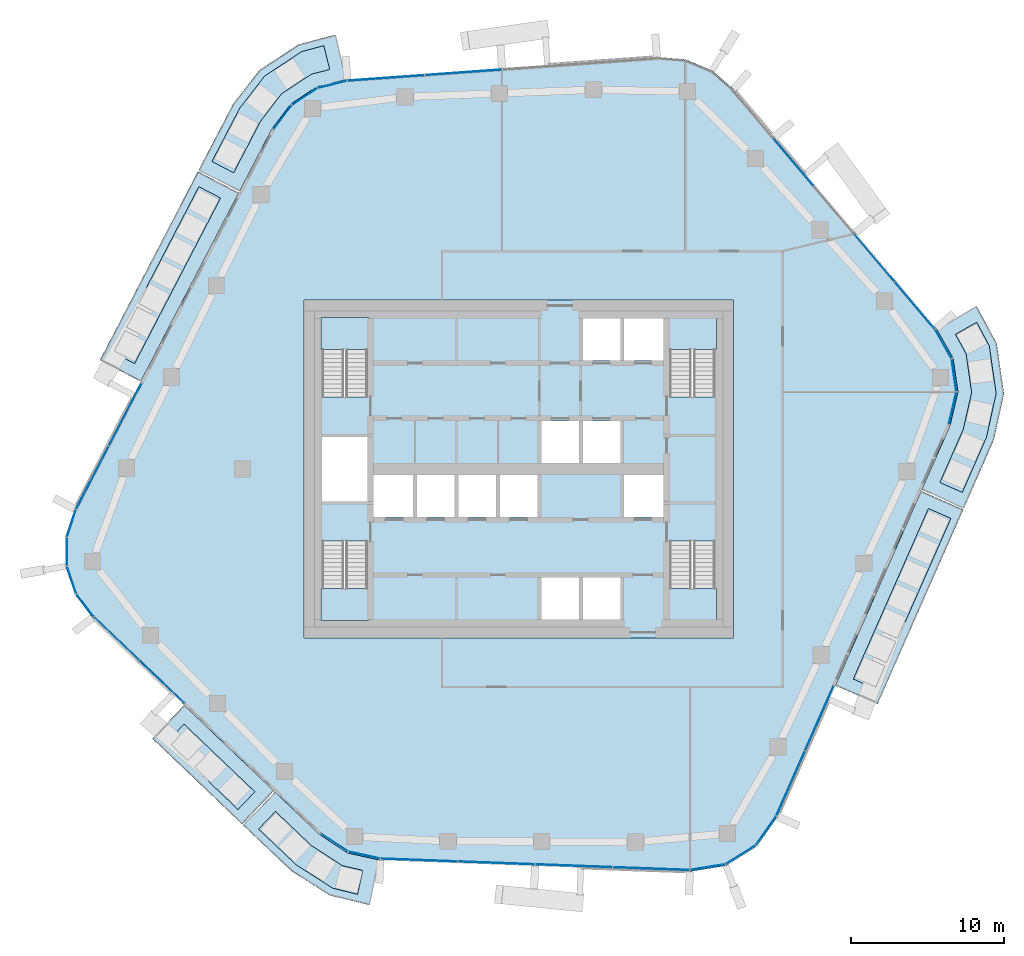
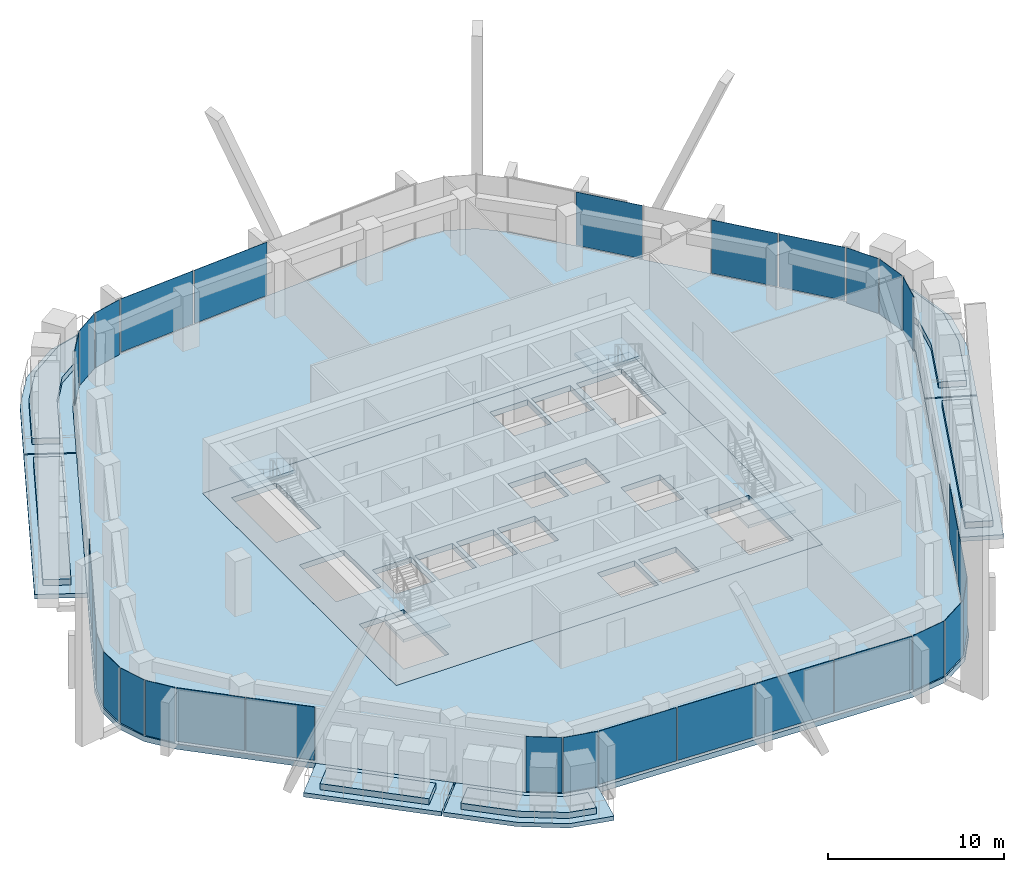
# One storey, part 9 of 20: 30 plates, 18 slabs, 15 elements without a shape of their own.
"""IFC4 building model written with IfcOpenShell, lengths in metres."""

from ifc_helpers import new_model, si_unit, direction, frame, origin, origin_2d, place, context, subcontext, project, spatial, polyline, rectangle, outline, extrude, material, layer, layer_set, type_object, element, aggregate, save


model = new_model("IFC4")

# Units and contexts
model_context = context("Model", 3, precision=1e-05, world=origin(), true_north=direction((0.0, 1.0)))
body_context = subcontext(model_context, "Body", "Model", "MODEL_VIEW")
ifc_project = project(units=[si_unit("LENGTHUNIT", "METRE"), si_unit("AREAUNIT", "SQUARE_METRE"), si_unit("VOLUMEUNIT", "CUBIC_METRE"), si_unit("PLANEANGLEUNIT", "RADIAN"), si_unit("MASSUNIT", "GRAM", prefix="KILO")], contexts=[model_context])

# Site, building, storey
site_placement = place(None, origin())
site = spatial("IfcSite", under=ifc_project, at=site_placement, CompositionType="ELEMENT")
building_placement = place(site_placement, origin())
building = spatial("IfcBuilding", under=site, at=building_placement, Name="Dongbaek Canopy Tower", CompositionType="ELEMENT")
storey_placement = place(building_placement, frame((0.0, 0.0, 266.39990234375)))
storey = spatial("IfcBuildingStorey", under=building, at=storey_placement, Name="L56", CompositionType="ELEMENT", Elevation=266.39990234375)

# Slabs
ifc_material_1 = material(Name="Concrete C40/50", Category="concrete")
ifc_layer_1 = layer(ifc_material_1, 0.300048828125)
ifc_layer_set_1 = layer_set([ifc_layer_1], Name="Balcony slab 300")
slab_type_1 = type_object("IfcSlabType", Name="Balcony slab 300", PredefinedType="FLOOR", material=ifc_layer_set_1)
slab_1_placement = place(storey_placement, frame((0.0, 0.0, -0.2998046875)))
element("IfcSlab", 1, at=slab_1_placement, inside=storey, type_object=slab_type_1, Name="Balcony L56 1", PredefinedType="FLOOR", context=body_context, shape_type="SweptSolid", body=[
    extrude(outline(polyline([(-18.2392578125, 18.005859375), (-24.62646484375, 5.70703125), (-27.288818359375, 7.089599609375), (-20.901611328125, 19.388671875), (-18.2392578125, 18.005859375)])), origin(), (0.0, 0.0, 1.0), 0.2998046875),
])
slab_2_placement = place(storey_placement, frame((0.0, 0.0, -0.2998046875)))
element("IfcSlab", 2, at=slab_2_placement, inside=storey, type_object=slab_type_1, Name="Balcony L56 5", PredefinedType="FLOOR", context=body_context, shape_type="SweptSolid", body=[
    extrude(outline(polyline([(-11.22607421875, 25.386962890625), (-13.148681640625, 24.91259765625), (-14.8447265625, 23.797119140625), (-16.07177734375, 22.1796875), (-18.193115234375, 18.0947265625), (-20.85546875, 19.477294921875), (-18.607177734375, 23.783203125), (-16.8935546875, 25.98828125), (-14.349365234375, 27.661865234375), (-11.9443359375, 28.299560546875), (-11.22607421875, 25.386962890625)])), origin(), (0.0, 0.0, 1.0), 0.2998046875),
])
slab_3_placement = place(storey_placement, frame((0.0, 0.0, -0.2998046875)))
element("IfcSlab", 3, at=slab_3_placement, inside=storey, type_object=slab_type_1, Name="Balcony L56 2", PredefinedType="FLOOR", context=body_context, shape_type="SweptSolid", body=[
    extrude(outline(polyline([(-21.800048828125, -15.386962890625), (-15.9521484375, -20.96923828125), (-18.023681640625, -23.13916015625), (-23.87158203125, -17.55712890625), (-21.800048828125, -15.386962890625)])), origin(), (0.0, 0.0, 1.0), 0.2998046875),
])
slab_4_placement = place(storey_placement, frame((0.0, 0.0, -0.2998046875)))
element("IfcSlab", 4, at=slab_4_placement, inside=storey, type_object=slab_type_1, Name="Balcony L56 6", PredefinedType="FLOOR", context=body_context, shape_type="SweptSolid", body=[
    extrude(outline(polyline([(-15.8798828125, -21.0380859375), (-12.9560546875, -23.829345703125), (-11.14697265625, -25.0166015625), (-9.083251953125, -25.474365234375), (-9.732666015625, -28.403076171875), (-12.31396484375, -27.7802734375), (-14.822509765625, -26.177978515625), (-17.951416015625, -23.208251953125), (-15.8798828125, -21.0380859375)])), origin(), (0.0, 0.0, 1.0), 0.2998046875),
])
slab_5_placement = place(storey_placement, frame((0.0, 0.0, -0.2998046875)))
element("IfcSlab", 5, at=slab_5_placement, inside=storey, type_object=slab_type_1, Name="Balcony L56 3", PredefinedType="FLOOR", context=body_context, shape_type="SweptSolid", body=[
    extrude(outline(polyline([(20.642333984375, -14.1015625), (26.225341796875, -1.43310546875), (28.970703125, -2.64306640625), (23.387451171875, -15.3115234375), (20.642333984375, -14.1015625)])), origin(), (0.0, 0.0, 1.0), 0.2998046875),
])
slab_6_placement = place(storey_placement, frame((0.0, 0.0, -0.2998046875)))
element("IfcSlab", 6, at=slab_6_placement, inside=storey, type_object=slab_type_1, Name="Balcony L56 4", PredefinedType="FLOOR", context=body_context, shape_type="SweptSolid", body=[
    extrude(outline(polyline([(26.265869140625, -1.341552734375), (28.1201171875, 2.865966796875), (28.624267578125, 5.030029296875), (28.30615234375, 7.2294921875), (27.234130859375, 9.11865234375), (29.84326171875, 10.59912109375), (31.144287109375, 8.201171875), (31.62158203125, 4.90234375), (30.966064453125, 1.91650390625), (29.010986328125, -2.551513671875), (26.265869140625, -1.341552734375)])), origin(), (0.0, 0.0, 1.0), 0.2998046875),
])

# Curtain wall, plates
ifc_material_2 = material(Name="Aluminium 6063-T6 pale anodised", Category="aluminium")
ifc_layer_2 = layer(ifc_material_2, 0.199951171875)
ifc_layer_set_2 = layer_set([ifc_layer_2], Name="CW-1 unitised tower curtain wall")
curtain_wall_type = type_object("IfcCurtainWallType", Name="CW-1 unitised tower curtain wall", PredefinedType="NOTDEFINED", material=ifc_layer_set_2)
curtain_wall_1_placement = place(storey_placement, origin())
curtain_wall_1 = element("IfcCurtainWall", 7, at=curtain_wall_1_placement, inside=storey, type_object=curtain_wall_type, Name="CW-1 curtain wall K0.1", PredefinedType="NOTDEFINED")
ifc_material_3 = material(Name="Clear laminated glass", Category="glass")
ifc_layer_3 = layer(ifc_material_3, 0.028076171875)
ifc_layer_set_3 = layer_set([ifc_layer_3], Name="CW-1 glazed panel 28")
plate_type = type_object("IfcPlateType", Name="CW-1 glazed panel 28", PredefinedType="CURTAIN_PANEL", material=ifc_layer_set_3)
plate_1_placement = place(storey_placement, frame((28.273681640625, 3.966064453125, 0.0), z_axis=(0.0, 0.0, 1.0), x_axis=(0.226862667596, 0.973926758053, 0.0)))
plate_1 = element("IfcPlate", 8, at=plate_1_placement, type_object=plate_type, Name="CW-1 panel K0.1.1.1", PredefinedType="CURTAIN_PANEL", context=body_context, shape_type="SweptSolid", body=[
    extrude(rectangle(XDim=2.10986328125, YDim=0.028076171875, at=origin_2d()), origin(), (0.0, 0.0, 1.0), 3.820068359375),
])
plate_2_placement = place(storey_placement, frame((28.3662109375, 6.115478515625, 0.0), z_axis=(0.0, 0.0, 1.0), x_axis=(-0.143155314124, 0.989700235444, 0.0)))
plate_2 = element("IfcPlate", 9, at=plate_2_placement, type_object=plate_type, Name="CW-1 panel K0.1.2.1", PredefinedType="CURTAIN_PANEL", context=body_context, shape_type="SweptSolid", body=[
    extrude(rectangle(XDim=2.100341796875, YDim=0.028076171875, at=origin_2d()), origin(), (0.0, 0.0, 1.0), 3.820068359375),
])
plate_3_placement = place(storey_placement, frame((27.66845703125, 8.150390625, 0.0), z_axis=(0.0, 0.0, 1.0), x_axis=(-0.493537811004, 0.869724340874, 0.0)))
plate_3 = element("IfcPlate", 10, at=plate_3_placement, type_object=plate_type, Name="CW-1 panel K0.1.3.1", PredefinedType="CURTAIN_PANEL", context=body_context, shape_type="SweptSolid", body=[
    extrude(rectangle(XDim=2.10986328125, YDim=0.028076171875, at=origin_2d()), origin(), (0.0, 0.0, 1.0), 3.820068359375),
])
aggregate(curtain_wall_1, [plate_1, plate_2, plate_3])

curtain_wall_2_placement = place(storey_placement, origin())
curtain_wall_2 = element("IfcCurtainWall", 11, at=curtain_wall_2_placement, inside=storey, type_object=curtain_wall_type, Name="CW-1 curtain wall F0.1", PredefinedType="NOTDEFINED")
plate_4_placement = place(storey_placement, frame((25.811279296875, 10.6591796875, 0.1201171875), z_axis=(0.0, 0.0, 1.0), x_axis=(-0.646055122273, 0.763290756517, 0.0)))
plate_4 = element("IfcPlate", 12, at=plate_4_placement, type_object=plate_type, Name="CW-1 panel F0.1.1.1", PredefinedType="CURTAIN_PANEL", context=body_context, shape_type="SweptSolid", body=[
    extrude(rectangle(XDim=3.9892578125, YDim=0.028076171875, at=origin_2d()), origin(), (0.0, 0.0, 1.0), 3.699951171875),
])
plate_5_placement = place(storey_placement, frame((23.1767578125, 13.771728515625, 0.1201171875), z_axis=(0.0, 0.0, 1.0), x_axis=(-0.646055122273, 0.763290756517, 0.0)))
plate_5 = element("IfcPlate", 13, at=plate_5_placement, type_object=plate_type, Name="CW-1 panel F0.1.2.1", PredefinedType="CURTAIN_PANEL", context=body_context, shape_type="SweptSolid", body=[
    extrude(rectangle(XDim=3.99853515625, YDim=0.028076171875, at=origin_2d()), origin(), (0.0, 0.0, 1.0), 3.699951171875),
])
plate_6_placement = place(storey_placement, frame((17.901611328125, 20.00390625, 0.1201171875), z_axis=(0.0, 0.0, 1.0), x_axis=(-0.646055122273, 0.763290756517, 0.0)))
plate_6 = element("IfcPlate", 14, at=plate_6_placement, type_object=plate_type, Name="CW-1 panel F0.1.4.1", PredefinedType="CURTAIN_PANEL", context=body_context, shape_type="SweptSolid", body=[
    extrude(rectangle(XDim=3.99853515625, YDim=0.028076171875, at=origin_2d()), origin(), (0.0, 0.0, 1.0), 3.699951171875),
])
aggregate(curtain_wall_2, [plate_4, plate_5, plate_6])

curtain_wall_3_placement = place(storey_placement, origin())
curtain_wall_3 = element("IfcCurtainWall", 15, at=curtain_wall_3_placement, inside=storey, type_object=curtain_wall_type, Name="CW-1 curtain wall F1.1", PredefinedType="NOTDEFINED")
plate_7_placement = place(storey_placement, frame((-3.599365234375, 25.84375, 0.1201171875), z_axis=(0.0, 0.0, 1.0), x_axis=(-0.997423073198, -0.07174408026, 0.0)))
plate_7 = element("IfcPlate", 16, at=plate_7_placement, type_object=plate_type, Name="CW-1 panel F1.1.3.1", PredefinedType="CURTAIN_PANEL", context=body_context, shape_type="SweptSolid", body=[
    extrude(rectangle(XDim=4.976318359375, YDim=0.028076171875, at=origin_2d()), origin(), (0.0, 0.0, 1.0), 3.699951171875),
])
plate_8_placement = place(storey_placement, frame((-8.642333984375, 25.48095703125, 0.1201171875), z_axis=(0.0, 0.0, 1.0), x_axis=(-0.997423073198, -0.07174408026, 0.0)))
plate_8 = element("IfcPlate", 17, at=plate_8_placement, type_object=plate_type, Name="CW-1 panel F1.1.4.1", PredefinedType="CURTAIN_PANEL", context=body_context, shape_type="SweptSolid", body=[
    extrude(rectangle(XDim=4.9677734375, YDim=0.028076171875, at=origin_2d()), origin(), (0.0, 0.0, 1.0), 3.699951171875),
])
aggregate(curtain_wall_3, [plate_7, plate_8])

curtain_wall_4_placement = place(storey_placement, origin())
curtain_wall_4 = element("IfcCurtainWall", 18, at=curtain_wall_4_placement, inside=storey, type_object=curtain_wall_type, Name="CW-1 curtain wall K2.1", PredefinedType="NOTDEFINED")
plate_9_placement = place(storey_placement, frame((-12.135009765625, 25.059814453125, 0.0), z_axis=(0.0, 0.0, 1.0), x_axis=(-0.970907015511, -0.239456817049, 0.0)))
plate_9 = element("IfcPlate", 19, at=plate_9_placement, type_object=plate_type, Name="CW-1 panel K2.1.1.1", PredefinedType="CURTAIN_PANEL", context=body_context, shape_type="SweptSolid", body=[
    extrude(rectangle(XDim=1.92041015625, YDim=0.028076171875, at=origin_2d()), origin(), (0.0, 0.0, 1.0), 3.820068359375),
])
plate_10_placement = place(storey_placement, frame((-13.941650390625, 24.271240234375, 0.0), z_axis=(0.0, 0.0, 1.0), x_axis=(-0.835470720446, -0.549534962743, 0.0)))
plate_10 = element("IfcPlate", 20, at=plate_10_placement, type_object=plate_type, Name="CW-1 panel K2.1.2.1", PredefinedType="CURTAIN_PANEL", context=body_context, shape_type="SweptSolid", body=[
    extrude(rectangle(XDim=1.911865234375, YDim=0.028076171875, at=origin_2d()), origin(), (0.0, 0.0, 1.0), 3.820068359375),
])
plate_11_placement = place(storey_placement, frame((-15.38134765625, 22.92431640625, 0.0), z_axis=(0.0, 0.0, 1.0), x_axis=(-0.604380174138, -0.796696055663, 0.0)))
plate_11 = element("IfcPlate", 21, at=plate_11_placement, type_object=plate_type, Name="CW-1 panel K2.1.3.1", PredefinedType="CURTAIN_PANEL", context=body_context, shape_type="SweptSolid", body=[
    extrude(rectangle(XDim=1.92041015625, YDim=0.028076171875, at=origin_2d()), origin(), (0.0, 0.0, 1.0), 3.820068359375),
])
aggregate(curtain_wall_4, [plate_9, plate_10, plate_11])

curtain_wall_5_placement = place(storey_placement, origin())
curtain_wall_5 = element("IfcCurtainWall", 22, at=curtain_wall_5_placement, inside=storey, type_object=curtain_wall_type, Name="CW-1 curtain wall F2.1", PredefinedType="NOTDEFINED")
plate_12_placement = place(storey_placement, frame((-25.633056640625, 3.5517578125, 0.1201171875), z_axis=(0.0, 0.0, 1.0), x_axis=(-0.460880465591, -0.887462222541, 0.0)))
plate_12 = element("IfcPlate", 23, at=plate_12_placement, type_object=plate_type, Name="CW-1 panel F2.1.1.1", PredefinedType="CURTAIN_PANEL", context=body_context, shape_type="SweptSolid", body=[
    extrude(rectangle(XDim=4.56884765625, YDim=0.028076171875, at=origin_2d()), origin(), (0.0, 0.0, 1.0), 3.699951171875),
])
plate_13_placement = place(storey_placement, frame((-27.775390625, -0.57373046875, 0.1201171875), z_axis=(0.0, 0.0, 1.0), x_axis=(-0.460880465591, -0.887462222541, 0.0)))
plate_13 = element("IfcPlate", 24, at=plate_13_placement, type_object=plate_type, Name="CW-1 panel F2.1.2.1", PredefinedType="CURTAIN_PANEL", context=body_context, shape_type="SweptSolid", body=[
    extrude(rectangle(XDim=4.560791015625, YDim=0.028076171875, at=origin_2d()), origin(), (0.0, 0.0, 1.0), 3.699951171875),
])
aggregate(curtain_wall_5, [plate_12, plate_13])

curtain_wall_6_placement = place(storey_placement, origin())
curtain_wall_6 = element("IfcCurtainWall", 25, at=curtain_wall_6_placement, inside=storey, type_object=curtain_wall_type, Name="CW-1 curtain wall K3.1", PredefinedType="NOTDEFINED")
plate_14_placement = place(storey_placement, frame((-29.142822265625, -3.53662109375, 0.0), z_axis=(0.0, 0.0, 1.0), x_axis=(-0.312699253045, -0.949852186998, 0.0)))
plate_14 = element("IfcPlate", 26, at=plate_14_placement, type_object=plate_type, Name="CW-1 panel K3.1.1.1", PredefinedType="CURTAIN_PANEL", context=body_context, shape_type="SweptSolid", body=[
    extrude(rectangle(XDim=1.814697265625, YDim=0.028076171875, at=origin_2d()), origin(), (0.0, 0.0, 1.0), 3.820068359375),
])
plate_15_placement = place(storey_placement, frame((-29.43603515625, -5.3837890625, 0.0), z_axis=(0.0, 0.0, 1.0), x_axis=(0.003873700922, -0.999992497192, 0.0)))
plate_15 = element("IfcPlate", 27, at=plate_15_placement, type_object=plate_type, Name="CW-1 panel K3.1.2.1", PredefinedType="CURTAIN_PANEL", context=body_context, shape_type="SweptSolid", body=[
    extrude(rectangle(XDim=1.806640625, YDim=0.028076171875, at=origin_2d()), origin(), (0.0, 0.0, 1.0), 3.820068359375),
])
plate_16_placement = place(storey_placement, frame((-29.129638671875, -7.224609375, 0.0), z_axis=(0.0, 0.0, 1.0), x_axis=(0.320048699964, -0.947401092279, 0.0)))
plate_16 = element("IfcPlate", 28, at=plate_16_placement, type_object=plate_type, Name="CW-1 panel K3.1.3.1", PredefinedType="CURTAIN_PANEL", context=body_context, shape_type="SweptSolid", body=[
    extrude(rectangle(XDim=1.806640625, YDim=0.028076171875, at=origin_2d()), origin(), (0.0, 0.0, 1.0), 3.820068359375),
])
plate_17_placement = place(storey_placement, frame((-28.25439453125, -8.87744140625, 0.0), z_axis=(0.0, 0.0, 1.0), x_axis=(0.603344300453, -0.797480818021, 0.0)))
plate_17 = element("IfcPlate", 29, at=plate_17_placement, type_object=plate_type, Name="CW-1 panel K3.1.4.1", PredefinedType="CURTAIN_PANEL", context=body_context, shape_type="SweptSolid", body=[
    extrude(rectangle(XDim=1.814697265625, YDim=0.028076171875, at=origin_2d()), origin(), (0.0, 0.0, 1.0), 3.820068359375),
])
aggregate(curtain_wall_6, [plate_14, plate_15, plate_16, plate_17])

curtain_wall_7_placement = place(storey_placement, origin())
curtain_wall_7 = element("IfcCurtainWall", 30, at=curtain_wall_7_placement, inside=storey, type_object=curtain_wall_type, Name="CW-1 curtain wall F3.1", PredefinedType="NOTDEFINED")
plate_18_placement = place(storey_placement, frame((-26.204345703125, -11.044677734375, 0.1201171875), z_axis=(0.0, 0.0, 1.0), x_axis=(0.723349933562, -0.690481624386, 0.0)))
plate_18 = element("IfcPlate", 31, at=plate_18_placement, type_object=plate_type, Name="CW-1 panel F3.1.1.1", PredefinedType="CURTAIN_PANEL", context=body_context, shape_type="SweptSolid", body=[
    extrude(rectangle(XDim=4.000244140625, YDim=0.028076171875, at=origin_2d()), origin(), (0.0, 0.0, 1.0), 3.699951171875),
])
plate_19_placement = place(storey_placement, frame((-23.247314453125, -13.867431640625, 0.1201171875), z_axis=(0.0, 0.0, 1.0), x_axis=(0.723349933562, -0.690481624386, 0.0)))
plate_19 = element("IfcPlate", 32, at=plate_19_placement, type_object=plate_type, Name="CW-1 panel F3.1.2.1", PredefinedType="CURTAIN_PANEL", context=body_context, shape_type="SweptSolid", body=[
    extrude(rectangle(XDim=4.00830078125, YDim=0.028076171875, at=origin_2d()), origin(), (0.0, 0.0, 1.0), 3.699951171875),
])
aggregate(curtain_wall_7, [plate_18, plate_19])

curtain_wall_8_placement = place(storey_placement, origin())
curtain_wall_8 = element("IfcCurtainWall", 33, at=curtain_wall_8_placement, inside=storey, type_object=curtain_wall_type, Name="CW-1 curtain wall K4.1", PredefinedType="NOTDEFINED")
plate_20_placement = place(storey_placement, frame((-12.00048828125, -24.3369140625, 0.0), z_axis=(0.0, 0.0, 1.0), x_axis=(0.836003900743, -0.548723498624, 0.0)))
plate_20 = element("IfcPlate", 34, at=plate_20_placement, type_object=plate_type, Name="CW-1 panel K4.1.1.1", PredefinedType="CURTAIN_PANEL", context=body_context, shape_type="SweptSolid", body=[
    extrude(rectangle(XDim=2.052490234375, YDim=0.028076171875, at=origin_2d()), origin(), (0.0, 0.0, 1.0), 3.820068359375),
])
plate_21_placement = place(storey_placement, frame((-10.064453125, -25.154296875, 0.0), z_axis=(0.0, 0.0, 1.0), x_axis=(0.976288604328, -0.216473003073, 0.0)))
plate_21 = element("IfcPlate", 35, at=plate_21_placement, type_object=plate_type, Name="CW-1 panel K4.1.2.1", PredefinedType="CURTAIN_PANEL", context=body_context, shape_type="SweptSolid", body=[
    extrude(rectangle(XDim=2.052490234375, YDim=0.028076171875, at=origin_2d()), origin(), (0.0, 0.0, 1.0), 3.820068359375),
])
aggregate(curtain_wall_8, [plate_20, plate_21])

curtain_wall_9_placement = place(storey_placement, origin())
curtain_wall_9 = element("IfcCurtainWall", 36, at=curtain_wall_9_placement, inside=storey, type_object=curtain_wall_type, Name="CW-1 curtain wall F4.1", PredefinedType="NOTDEFINED")
plate_22_placement = place(storey_placement, frame((-6.501708984375, -25.478515625, 0.1201171875), z_axis=(0.0, 0.0, 1.0), x_axis=(0.999319926798, -0.036873891921, 0.0)))
plate_22 = element("IfcPlate", 37, at=plate_22_placement, type_object=plate_type, Name="CW-1 panel F4.1.1.1", PredefinedType="CURTAIN_PANEL", context=body_context, shape_type="SweptSolid", body=[
    extrude(rectangle(XDim=4.959228515625, YDim=0.028076171875, at=origin_2d()), origin(), (0.0, 0.0, 1.0), 3.699951171875),
])
plate_23_placement = place(storey_placement, frame((-1.457275390625, -25.66455078125, 0.1201171875), z_axis=(0.0, 0.0, 1.0), x_axis=(0.999319926798, -0.036873891921, 0.0)))
plate_23 = element("IfcPlate", 38, at=plate_23_placement, type_object=plate_type, Name="CW-1 panel F4.1.2.1", PredefinedType="CURTAIN_PANEL", context=body_context, shape_type="SweptSolid", body=[
    extrude(rectangle(XDim=4.96826171875, YDim=0.028076171875, at=origin_2d()), origin(), (0.0, 0.0, 1.0), 3.699951171875),
])
plate_24_placement = place(storey_placement, frame((3.591552734375, -25.850830078125, 0.1201171875), z_axis=(0.0, 0.0, 1.0), x_axis=(0.999319926798, -0.036873891921, 0.0)))
plate_24 = element("IfcPlate", 39, at=plate_24_placement, type_object=plate_type, Name="CW-1 panel F4.1.3.1", PredefinedType="CURTAIN_PANEL", context=body_context, shape_type="SweptSolid", body=[
    extrude(rectangle(XDim=4.96826171875, YDim=0.028076171875, at=origin_2d()), origin(), (0.0, 0.0, 1.0), 3.699951171875),
])
plate_25_placement = place(storey_placement, frame((8.635498046875, -26.037109375, 0.1201171875), z_axis=(0.0, 0.0, 1.0), x_axis=(0.999319926798, -0.036873891921, 0.0)))
plate_25 = element("IfcPlate", 40, at=plate_25_placement, type_object=plate_type, Name="CW-1 panel F4.1.4.1", PredefinedType="CURTAIN_PANEL", context=body_context, shape_type="SweptSolid", body=[
    extrude(rectangle(XDim=4.95849609375, YDim=0.028076171875, at=origin_2d()), origin(), (0.0, 0.0, 1.0), 3.699951171875),
])
aggregate(curtain_wall_9, [plate_22, plate_23, plate_24, plate_25])

curtain_wall_10_placement = place(storey_placement, origin())
curtain_wall_10 = element("IfcCurtainWall", 41, at=curtain_wall_10_placement, inside=storey, type_object=curtain_wall_type, Name="CW-1 curtain wall K5.1", PredefinedType="NOTDEFINED")
plate_26_placement = place(storey_placement, frame((12.309326171875, -25.94140625, 0.0), z_axis=(0.0, 0.0, 1.0), x_axis=(0.986926076435, 0.161173569958, 0.0)))
plate_26 = element("IfcPlate", 42, at=plate_26_placement, type_object=plate_type, Name="CW-1 panel K5.1.1.1", PredefinedType="CURTAIN_PANEL", context=body_context, shape_type="SweptSolid", body=[
    extrude(rectangle(XDim=2.25537109375, YDim=0.028076171875, at=origin_2d()), origin(), (0.0, 0.0, 1.0), 3.820068359375),
])
plate_27_placement = place(storey_placement, frame((14.450927734375, -25.135009765625, 0.0), z_axis=(0.0, 0.0, 1.0), x_axis=(0.847571829361, 0.530680689373, 0.0)))
plate_27 = element("IfcPlate", 43, at=plate_27_placement, type_object=plate_type, Name="CW-1 panel K5.1.2.1", PredefinedType="CURTAIN_PANEL", context=body_context, shape_type="SweptSolid", body=[
    extrude(rectangle(XDim=2.2451171875, YDim=0.028076171875, at=origin_2d()), origin(), (0.0, 0.0, 1.0), 3.820068359375),
])
plate_28_placement = place(storey_placement, frame((16.11181640625, -23.560791015625, 0.0), z_axis=(0.0, 0.0, 1.0), x_axis=(0.576034418085, 0.817425439524, 0.0)))
plate_28 = element("IfcPlate", 44, at=plate_28_placement, type_object=plate_type, Name="CW-1 panel K5.1.3.1", PredefinedType="CURTAIN_PANEL", context=body_context, shape_type="SweptSolid", body=[
    extrude(rectangle(XDim=2.25537109375, YDim=0.028076171875, at=origin_2d()), origin(), (0.0, 0.0, 1.0), 3.820068359375),
])
aggregate(curtain_wall_10, [plate_26, plate_27, plate_28])

curtain_wall_11_placement = place(storey_placement, origin())
curtain_wall_11 = element("IfcCurtainWall", 45, at=curtain_wall_11_placement, inside=storey, type_object=curtain_wall_type, Name="CW-1 curtain wall F5.1", PredefinedType="NOTDEFINED")
plate_29_placement = place(storey_placement, frame((17.720703125, -20.482421875, 0.1201171875), z_axis=(0.0, 0.0, 1.0), x_axis=(0.403287969917, 0.915073119112, 0.0)))
plate_29 = element("IfcPlate", 46, at=plate_29_placement, type_object=plate_type, Name="CW-1 panel F5.1.1.1", PredefinedType="CURTAIN_PANEL", context=body_context, shape_type="SweptSolid", body=[
    extrude(rectangle(XDim=4.55419921875, YDim=0.028076171875, at=origin_2d()), origin(), (0.0, 0.0, 1.0), 3.699951171875),
])
plate_30_placement = place(storey_placement, frame((19.59326171875, -16.233642578125, 0.1201171875), z_axis=(0.0, 0.0, 1.0), x_axis=(0.403287969917, 0.915073119112, 0.0)))
plate_30 = element("IfcPlate", 47, at=plate_30_placement, type_object=plate_type, Name="CW-1 panel F5.1.2.1", PredefinedType="CURTAIN_PANEL", context=body_context, shape_type="SweptSolid", body=[
    extrude(rectangle(XDim=4.564208984375, YDim=0.028076171875, at=origin_2d()), origin(), (0.0, 0.0, 1.0), 3.699951171875),
])
aggregate(curtain_wall_11, [plate_29, plate_30])

# Slab
ifc_material_4 = material(Name="Concrete C40/50", Category="concrete")
ifc_layer_4 = layer(ifc_material_4, 0.3798828125)
ifc_layer_set_4 = layer_set([ifc_layer_4], Name="Core floor slab 380 Concrete C40/50")
slab_type_2 = type_object("IfcSlabType", Name="Core floor slab 380 Concrete C40/50", PredefinedType="FLOOR", material=ifc_layer_set_4)
slab_7_placement = place(storey_placement, frame((0.0, 0.0, -0.3798828125)))
element("IfcSlab", 48, at=slab_7_placement, inside=storey, type_object=slab_type_2, Name="Core floor slab L56", PredefinedType="FLOOR", context=body_context, shape_type="SweptSolid", body=[
    extrude(outline(polyline([(14.0, -11.0), (14.0, 11.0), (-14.0, 11.0), (-14.0, -11.0), (14.0, -11.0)]), holes=[polyline([(-12.800048828125, 2.10009765625), (-9.85009765625, 2.10009765625), (-9.85009765625, -2.10009765625), (-12.800048828125, -2.10009765625), (-12.800048828125, 2.10009765625)]), polyline([(6.625, 9.800048828125), (6.625, 7.074951171875), (4.175048828125, 7.074951171875), (4.175048828125, 9.800048828125), (6.625, 9.800048828125)]), polyline([(9.449951171875, 7.074951171875), (6.875, 7.074951171875), (6.875, 9.800048828125), (9.449951171875, 9.800048828125), (9.449951171875, 7.074951171875)]), polyline([(1.47509765625, 0.39990234375), (1.47509765625, 3.125), (3.925048828125, 3.125), (3.925048828125, 0.39990234375), (1.47509765625, 0.39990234375)]), polyline([(4.175048828125, 0.39990234375), (4.175048828125, 3.125), (6.625, 3.125), (6.625, 0.39990234375), (4.175048828125, 0.39990234375)]), polyline([(-9.449951171875, -0.39990234375), (-6.875, -0.39990234375), (-6.875, -3.125), (-9.449951171875, -3.125), (-9.449951171875, -0.39990234375)]), polyline([(-6.625, -3.125), (-6.625, -0.39990234375), (-4.175048828125, -0.39990234375), (-4.175048828125, -3.125), (-6.625, -3.125)]), polyline([(-3.925048828125, -3.125), (-3.925048828125, -0.39990234375), (-1.47509765625, -0.39990234375), (-1.47509765625, -3.125), (-3.925048828125, -3.125)]), polyline([(-1.22509765625, -3.125), (-1.22509765625, -0.39990234375), (1.22509765625, -0.39990234375), (1.22509765625, -3.125), (-1.22509765625, -3.125)]), polyline([(9.449951171875, -3.125), (6.875, -3.125), (6.875, -0.39990234375), (9.449951171875, -0.39990234375), (9.449951171875, -3.125)]), polyline([(1.47509765625, -9.800048828125), (1.47509765625, -7.074951171875), (3.925048828125, -7.074951171875), (3.925048828125, -9.800048828125), (1.47509765625, -9.800048828125)]), polyline([(4.175048828125, -9.800048828125), (4.175048828125, -7.074951171875), (6.625, -7.074951171875), (6.625, -9.800048828125), (4.175048828125, -9.800048828125)]), polyline([(12.800048828125, 4.70068359375), (12.800048828125, 9.800048828125), (9.85009765625, 9.800048828125), (9.85009765625, 4.70068359375), (12.800048828125, 4.70068359375)]), polyline([(-9.85009765625, 4.70068359375), (-9.85009765625, 9.800048828125), (-12.800048828125, 9.800048828125), (-12.800048828125, 4.70068359375), (-9.85009765625, 4.70068359375)]), polyline([(9.85009765625, -4.70068359375), (9.85009765625, -9.800048828125), (12.800048828125, -9.800048828125), (12.800048828125, -4.70068359375), (9.85009765625, -4.70068359375)]), polyline([(-12.800048828125, -4.70068359375), (-12.800048828125, -9.800048828125), (-9.85009765625, -9.800048828125), (-9.85009765625, -4.70068359375), (-12.800048828125, -4.70068359375)])]), origin(), (0.0, 0.0, 1.0), 0.3798828125),
])

# Stair, slab
ifc_material_5 = material(Name="Concrete C40/50", Category="concrete")
stair_type = type_object("IfcStairType", Name="Core exit stair", PredefinedType="HALF_TURN_STAIR", material=ifc_material_5)
stair_1_placement = place(storey_placement, origin())
stair_1 = element("IfcStair", 49, at=stair_1_placement, inside=storey, type_object=stair_type, Name="L56 exit stair A", PredefinedType="HALF_TURN_STAIR")
ifc_material_6 = material(Name="Concrete C40/50", Category="concrete")
ifc_layer_5 = layer(ifc_material_6, 0.199951171875)
ifc_layer_set_5 = layer_set([ifc_layer_5], Name="Core stair landing 200")
slab_type_3 = type_object("IfcSlabType", Name="Core stair landing 200", PredefinedType="LANDING", material=ifc_layer_set_5)
slab_8_placement = place(storey_placement, frame((0.0, 0.0, 1.900146484375)))
slab_8 = element("IfcSlab", 50, at=slab_8_placement, type_object=slab_type_3, Name="ST-A landing 1", PredefinedType="LANDING", context=body_context, shape_type="SweptSolid", body=[
    extrude(outline(polyline([(12.875, 7.780029296875), (12.875, 9.875), (9.77490234375, 9.875), (9.77490234375, 7.780029296875), (12.875, 7.780029296875)])), origin(), (0.0, 0.0, 1.0), 0.199951171875),
])
aggregate(stair_1, [slab_8])

stair_2_placement = place(storey_placement, origin())
stair_2 = element("IfcStair", 51, at=stair_2_placement, inside=storey, type_object=stair_type, Name="L56 exit stair C", PredefinedType="HALF_TURN_STAIR")
slab_9_placement = place(storey_placement, frame((0.0, 0.0, 1.900146484375)))
slab_9 = element("IfcSlab", 52, at=slab_9_placement, type_object=slab_type_3, Name="ST-C landing 1", PredefinedType="LANDING", context=body_context, shape_type="SweptSolid", body=[
    extrude(outline(polyline([(-9.77490234375, 7.780029296875), (-9.77490234375, 9.875), (-12.875, 9.875), (-12.875, 7.780029296875), (-9.77490234375, 7.780029296875)])), origin(), (0.0, 0.0, 1.0), 0.199951171875),
])
aggregate(stair_2, [slab_9])

stair_3_placement = place(storey_placement, origin())
stair_3 = element("IfcStair", 53, at=stair_3_placement, inside=storey, type_object=stair_type, Name="L56 exit stair B", PredefinedType="HALF_TURN_STAIR")
slab_10_placement = place(storey_placement, frame((0.0, 0.0, 1.900146484375)))
slab_10 = element("IfcSlab", 54, at=slab_10_placement, type_object=slab_type_3, Name="ST-B landing 1", PredefinedType="LANDING", context=body_context, shape_type="SweptSolid", body=[
    extrude(outline(polyline([(9.77490234375, -7.780029296875), (9.77490234375, -9.875), (12.875, -9.875), (12.875, -7.780029296875), (9.77490234375, -7.780029296875)])), origin(), (0.0, 0.0, 1.0), 0.199951171875),
])
aggregate(stair_3, [slab_10])

stair_4_placement = place(storey_placement, origin())
stair_4 = element("IfcStair", 55, at=stair_4_placement, inside=storey, type_object=stair_type, Name="L56 exit stair D", PredefinedType="HALF_TURN_STAIR")
slab_11_placement = place(storey_placement, frame((0.0, 0.0, 1.900146484375)))
slab_11 = element("IfcSlab", 56, at=slab_11_placement, type_object=slab_type_3, Name="ST-D landing 1", PredefinedType="LANDING", context=body_context, shape_type="SweptSolid", body=[
    extrude(outline(polyline([(-12.875, -7.780029296875), (-12.875, -9.875), (-9.77490234375, -9.875), (-9.77490234375, -7.780029296875), (-12.875, -7.780029296875)])), origin(), (0.0, 0.0, 1.0), 0.199951171875),
])
aggregate(stair_4, [slab_11])

# Slabs
ifc_material_7 = material(Name="Concrete C40", Category="concrete")
ifc_layer_6 = layer(ifc_material_7, 0.3798828125)
ifc_layer_set_6 = layer_set([ifc_layer_6], Name="RC FLAT PLATE 380 Concrete C40")
slab_type_4 = type_object("IfcSlabType", Name="RC FLAT PLATE 380 Concrete C40", PredefinedType="FLOOR", material=ifc_layer_set_6)
slab_12_placement = place(storey_placement, frame((0.0, 0.0, -0.3798828125)))
element("IfcSlab", 57, at=slab_12_placement, inside=storey, type_object=slab_type_4, Name="SLAB:L56", PredefinedType="FLOOR", context=body_context, shape_type="SweptSolid", body=[
    extrude(outline(polyline([(16.873046875, -22.654052734375), (15.508056640625, -24.5908203125), (13.499755859375, -25.848388671875), (11.161376953125, -26.230224609375), (-9.034423828125, -25.485107421875), (-11.14697265625, -25.0166015625), (-12.9560546875, -23.829345703125), (-27.75634765625, -9.701416015625), (-28.916748046875, -8.167724609375), (-29.5322265625, -6.345703125), (-29.539794921875, -4.422607421875), (-28.938232421875, -2.595947265625), (-16.07177734375, 22.1796875), (-14.8447265625, 23.797119140625), (-13.148681640625, 24.91259765625), (-11.177490234375, 25.398681640625), (9.011474609375, 26.85107421875), (10.87744140625, 26.692138671875), (12.603515625, 25.9658203125), (14.021728515625, 24.742919921875), (27.20947265625, 9.162109375), (28.30615234375, 7.2294921875), (28.624267578125, 5.0302734375), (28.1201171875, 2.865966796875), (16.873046875, -22.654052734375)]), holes=[polyline([(14.0, 11.0), (-14.0, 11.0), (-14.0, -11.0), (14.0, -11.0), (14.0, 11.0)])]), origin(), (0.0, 0.0, 1.0), 0.3798828125),
])
ifc_material_8 = material(Name="Reinforced concrete C40/50 planter box with soil", Category="concrete")
ifc_layer_7 = layer(ifc_material_8, 0.419921875)
ifc_layer_set_7 = layer_set([ifc_layer_7], Name="Terrace planter box 1600 x 420")
slab_type_5 = type_object("IfcSlabType", Name="Terrace planter box 1600 x 420", PredefinedType="USERDEFINED", material=ifc_layer_set_7)
slab_13_placement = place(storey_placement, origin())
element("IfcSlab", 58, at=slab_13_placement, inside=storey, type_object=slab_type_5, Name="Balcony planter L56 1", ObjectType="PLANTER", PredefinedType="USERDEFINED", context=body_context, shape_type="SweptSolid", body=[
    extrude(outline(polyline([(-19.4208984375, 17.661865234375), (-25.0244140625, 6.871337890625), (-26.444580078125, 7.60888671875), (-20.8408203125, 18.399169921875), (-19.4208984375, 17.661865234375)])), origin(), (0.0, 0.0, 1.0), 0.420166015625),
])
slab_14_placement = place(storey_placement, origin())
element("IfcSlab", 59, at=slab_14_placement, inside=storey, type_object=slab_type_5, Name="Balcony planter L56 5", ObjectType="PLANTER", PredefinedType="USERDEFINED", context=body_context, shape_type="SweptSolid", body=[
    extrude(outline(polyline([(-12.31298828125, 26.035400390625), (-13.5048828125, 25.728271484375), (-15.45263671875, 24.447021484375), (-16.823974609375, 22.6552734375), (-18.568115234375, 19.303466796875), (-19.988037109375, 20.041015625), (-18.17626953125, 23.5107421875), (-16.54541015625, 25.615966796875), (-14.145263671875, 27.194580078125), (-12.696044921875, 27.5888671875), (-12.31298828125, 26.035400390625)])), origin(), (0.0, 0.0, 1.0), 0.420166015625),
])
slab_15_placement = place(storey_placement, origin())
element("IfcSlab", 60, at=slab_15_placement, inside=storey, type_object=slab_type_5, Name="Balcony planter L56 2", ObjectType="PLANTER", PredefinedType="USERDEFINED", context=body_context, shape_type="SweptSolid", body=[
    extrude(outline(polyline([(-21.7998046875, -16.61767578125), (-17.181640625, -21.026123046875), (-18.286376953125, -22.183349609375), (-22.904541015625, -17.775146484375), (-21.7998046875, -16.61767578125)])), origin(), (0.0, 0.0, 1.0), 0.420166015625),
])
slab_16_placement = place(storey_placement, origin())
element("IfcSlab", 61, at=slab_16_placement, inside=storey, type_object=slab_type_5, Name="Balcony planter L56 6", ObjectType="PLANTER", PredefinedType="USERDEFINED", context=body_context, shape_type="SweptSolid", body=[
    extrude(outline(polyline([(-15.843505859375, -22.303466796875), (-13.509765625, -24.526123046875), (-11.4931640625, -25.836669921875), (-10.154541015625, -26.1484375), (-10.5009765625, -27.71044921875), (-12.115478515625, -27.310546875), (-14.505126953125, -25.778564453125), (-16.9482421875, -23.460693359375), (-15.843505859375, -22.303466796875)])), origin(), (0.0, 0.0, 1.0), 0.420166015625),
])
slab_17_placement = place(storey_placement, origin())
element("IfcSlab", 62, at=slab_17_placement, inside=storey, type_object=slab_type_5, Name="Balcony planter L56 3", ObjectType="PLANTER", PredefinedType="USERDEFINED", context=body_context, shape_type="SweptSolid", body=[
    extrude(outline(polyline([(21.79931640625, -13.682861328125), (26.697021484375, -2.56982421875), (28.1611328125, -3.215087890625), (23.263427734375, -14.328125), (21.79931640625, -13.682861328125)])), origin(), (0.0, 0.0, 1.0), 0.420166015625),
])
slab_18_placement = place(storey_placement, origin())
element("IfcSlab", 63, at=slab_18_placement, inside=storey, type_object=slab_type_5, Name="Balcony planter L56 4", ObjectType="PLANTER", PredefinedType="USERDEFINED", context=body_context, shape_type="SweptSolid", body=[
    extrude(outline(polyline([(27.443115234375, -0.876953125), (28.96435546875, 2.584228515625), (29.513427734375, 4.9921875), (29.148193359375, 7.517822265625), (28.452392578125, 8.775146484375), (29.843994140625, 9.564697265625), (30.661865234375, 8.0361328125), (31.112060546875, 4.924072265625), (30.482177734375, 2.078125), (28.9072265625, -1.522216796875), (27.443115234375, -0.876953125)])), origin(), (0.0, 0.0, 1.0), 0.420166015625),
])

save(model, "model.ifc")
